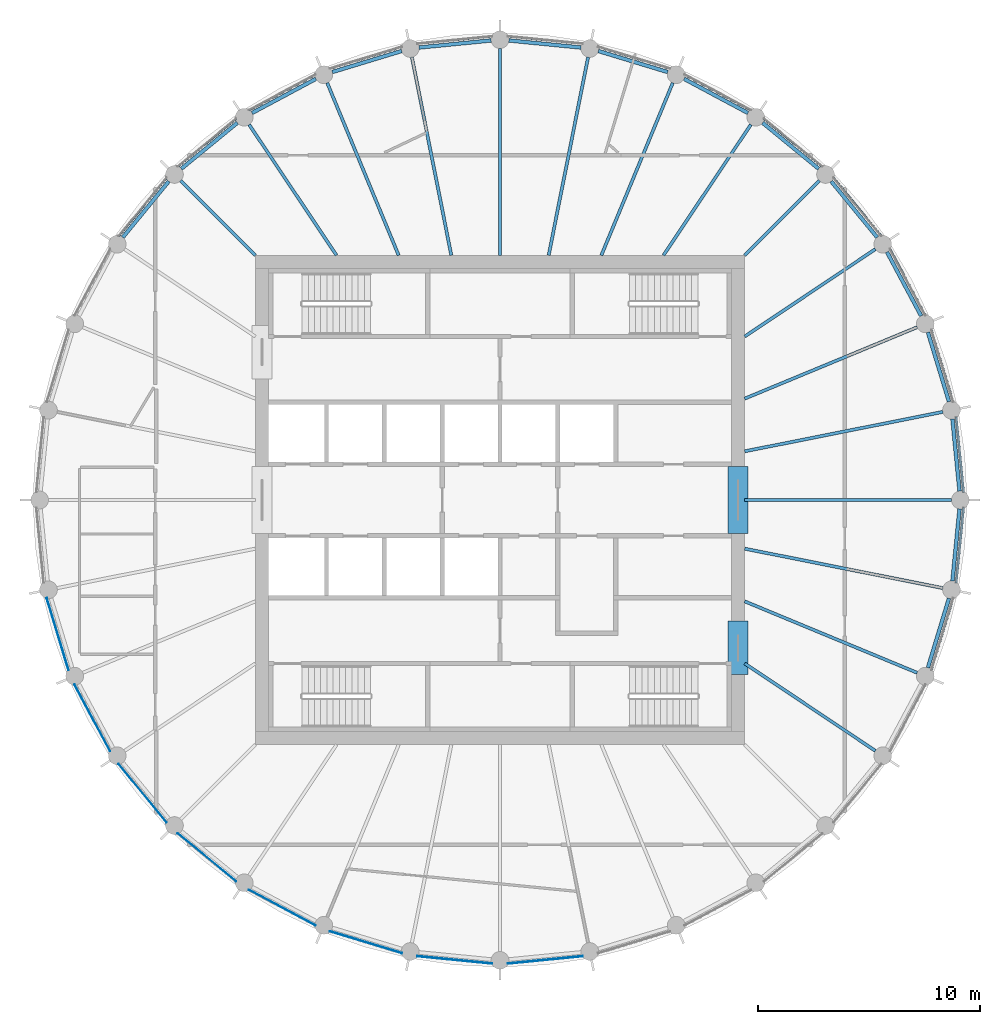
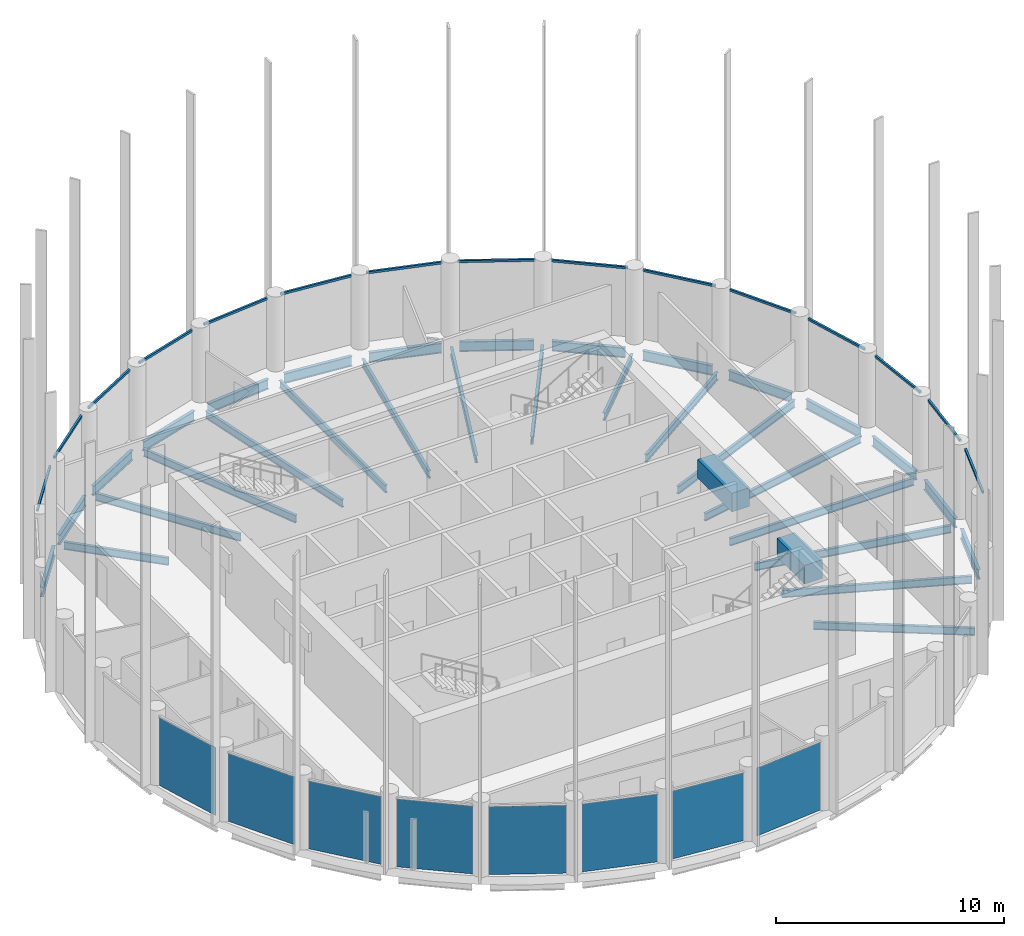
# One storey, part 2 of 7: 33 beams, 15 members, 8 plates, 23 elements without a shape of their own.
"""IFC4 building model written with IfcOpenShell, lengths in metres."""

from ifc_helpers import new_model, si_unit, direction, frame, origin, origin_2d, place, context, subcontext, project, spatial, rectangle, i_section, extrude, material, layer, layer_set, material_profile, profile_set, type_object, element, aggregate, save


model = new_model("IFC4")

# Units and contexts
model_context = context("Model", 3, precision=1e-05, world=origin(), true_north=direction((0.0, 1.0)))
body_context = subcontext(model_context, "Body", "Model", "MODEL_VIEW")
ifc_project = project(units=[si_unit("LENGTHUNIT", "METRE"), si_unit("AREAUNIT", "SQUARE_METRE"), si_unit("VOLUMEUNIT", "CUBIC_METRE"), si_unit("PLANEANGLEUNIT", "RADIAN"), si_unit("MASSUNIT", "GRAM", prefix="KILO")], contexts=[model_context])

# Site, building, storey
site_placement = place(None, origin())
site = spatial("IfcSite", under=ifc_project, at=site_placement, CompositionType="ELEMENT")
building_placement = place(site_placement, origin())
building = spatial("IfcBuilding", under=site, at=building_placement, Name="Corvane Civic Tower", CompositionType="ELEMENT")
storey_placement = place(building_placement, frame((0.0, 0.0, 324.5)))
storey = spatial("IfcBuildingStorey", under=building, at=storey_placement, Name="L77", CompositionType="ELEMENT", Elevation=324.5)

# Beams
ifc_material_1 = material(Name="Concrete C40/50", Category="concrete")
ifc_material_profile_1 = material_profile(ifc_material_1, rectangle(XDim=0.89990234375, YDim=1.0, at=origin_2d()), Name="COUPLING BEAM 900X1000")
ifc_profile_set_1 = profile_set([ifc_material_profile_1], Name="Concrete C40/50")
beam_type_1 = type_object("IfcBeamType", Name="COUPLING BEAM COUPLING BEAM 900X1000", PredefinedType="BEAM", material=ifc_profile_set_1)
beam_1_placement = place(storey_placement, frame((10.699951171875, -1.5, 2.60009765625), z_axis=(0.0, 1.0, 0.0), x_axis=(-1.0, 0.0, 0.0)))
element("IfcBeam", 1, at=beam_1_placement, inside=storey, type_object=beam_type_1, Name="BM-L77-cpl-CW-LE", PredefinedType="BEAM", context=body_context, shape_type="SweptSolid", body=[
    extrude(rectangle(XDim=0.89990234375, YDim=1.0, at=origin_2d()), origin(), (0.0, 0.0, 1.0), 3.0),
])
beam_2_placement = place(storey_placement, frame((10.699951171875, -7.85009765625, 2.60009765625), z_axis=(0.0, 1.0, 0.0), x_axis=(-1.0, 0.0, 0.0)))
element("IfcBeam", 2, at=beam_2_placement, inside=storey, type_object=beam_type_1, Name="BM-L77-cpl-CW-ES", PredefinedType="BEAM", context=body_context, shape_type="SweptSolid", body=[
    extrude(rectangle(XDim=0.89990234375, YDim=1.0, at=origin_2d()), origin(), (0.0, 0.0, 1.0), 2.400146484375),
])
ifc_material_2 = material(Name="Steel ASTM A992 Gr 50", Category="steel")
ifc_material_profile_2 = material_profile(ifc_material_2, i_section(OverallWidth=0.165771484375, OverallDepth=0.5283203125, WebThickness=0.009765625, FlangeThickness=0.013671875, at=origin_2d()), Name="W21X50")
ifc_profile_set_2 = profile_set([ifc_material_profile_2], Name="Steel ASTM A992 Gr 50")
beam_type_2 = type_object("IfcBeamType", Name="EDGE BEAM W21X50", PredefinedType="BEAM", material=ifc_profile_set_2)
beam_3_placement = place(storey_placement, frame((0.39794921875, 20.66064453125, -0.714111328125), z_axis=(0.995192503142, -0.097938152369, 0.0), x_axis=(0.097938152369, 0.995192503142, 0.0)))
element("IfcBeam", 3, at=beam_3_placement, inside=storey, type_object=beam_type_2, Name="BM-L77-E01", PredefinedType="BEAM", context=body_context, shape_type="SweptSolid", body=[
    extrude(i_section(OverallWidth=0.165771484375, OverallDepth=0.5283203125, WebThickness=0.009765625, FlangeThickness=0.013671875, at=origin_2d()), origin(), (0.0, 0.0, 1.0), 3.258056640625),
])
for number, where, z_axis, x_axis, name in (
    (4, (4.421142578125, 20.18603515625, -0.714111328125), (0.956955679349, -0.290234091317, 0.0), (0.290234091317, 0.956955679349, 0.0), "BM-L77-E02"),
    (5, (8.2744140625, 18.935791015625, -0.714111328125), (0.881894065907, -0.471447618, 0.0), (0.471447618, 0.881894065907, 0.0), "BM-L77-E03"),
    (6, (11.8095703125, 16.957763671875, -0.714111328125), (0.772984791903, -0.634424551454, 0.0), (0.634424551454, 0.772984791903, 0.0), "BM-L77-E04"),
    (7, (14.890869140625, 14.327880859375, -0.714111328125), (0.634424551454, -0.772984791903, 0.0), (0.772984791903, 0.634424551454, 0.0), "BM-L77-E05"),
    (8, (17.39990234375, 11.1474609375, -0.714111328125), (0.471447618, -0.881894065907, 0.0), (0.881894065907, 0.471447618, 0.0), "BM-L77-E06"),
    (9, (19.240478515625, 7.538818359375, -0.714111328125), (0.290234091317, -0.956955679349, 0.0), (0.956955679349, 0.290234091317, 0.0), "BM-L77-E07"),
):
    element("IfcBeam", number, at=place(storey_placement, frame(where, z_axis=z_axis, x_axis=x_axis)), inside=storey, type_object=beam_type_2, Name=name, PredefinedType="BEAM", context=body_context, shape_type="SweptSolid", body=[
        extrude(i_section(OverallWidth=0.165771484375, OverallDepth=0.5283203125, WebThickness=0.009765625, FlangeThickness=0.013671875, at=origin_2d()), origin(), (0.0, 0.0, 1.0), 3.2578125),
    ])
for number, where, z_axis, x_axis, name in (
    (10, (20.341552734375, 3.640380859375, -0.714111328125), (0.097938152369, -0.995192503142, 0.0), (0.995192503142, 0.097938152369, 0.0), "BM-L77-E08"),
    (11, (20.66064453125, -0.39794921875, -0.714111328125), (-0.097938152369, -0.995192503142, 0.0), (0.995192503142, -0.097938152369, 0.0), "BM-L77-E09"),
):
    element("IfcBeam", number, at=place(storey_placement, frame(where, z_axis=z_axis, x_axis=x_axis)), inside=storey, type_object=beam_type_2, Name=name, PredefinedType="BEAM", context=body_context, shape_type="SweptSolid", body=[
        extrude(i_section(OverallWidth=0.165771484375, OverallDepth=0.5283203125, WebThickness=0.009765625, FlangeThickness=0.013671875, at=origin_2d()), origin(), (0.0, 0.0, 1.0), 3.258056640625),
    ])
for number, where, z_axis, x_axis, name in (
    (12, (20.18603515625, -4.421142578125, -0.714111328125), (-0.290234091317, -0.956955679349, 0.0), (0.956955679349, -0.290234091317, 0.0), "BM-L77-E10"),
    (13, (-16.957763671875, 11.8095703125, -0.714111328125), (0.634424551454, 0.772984791903, 0.0), (-0.772984791903, 0.634424551454, 0.0), "BM-L77-E28"),
    (14, (-14.327880859375, 14.890869140625, -0.714111328125), (0.772984791903, 0.634424551454, 0.0), (-0.634424551454, 0.772984791903, 0.0), "BM-L77-E29"),
    (15, (-11.1474609375, 17.39990234375, -0.714111328125), (0.881894065907, 0.471447618, 0.0), (-0.471447618, 0.881894065907, 0.0), "BM-L77-E30"),
    (16, (-7.538818359375, 19.240478515625, -0.714111328125), (0.956955679349, 0.290234091317, 0.0), (-0.290234091317, 0.956955679349, 0.0), "BM-L77-E31"),
):
    element("IfcBeam", number, at=place(storey_placement, frame(where, z_axis=z_axis, x_axis=x_axis)), inside=storey, type_object=beam_type_2, Name=name, PredefinedType="BEAM", context=body_context, shape_type="SweptSolid", body=[
        extrude(i_section(OverallWidth=0.165771484375, OverallDepth=0.5283203125, WebThickness=0.009765625, FlangeThickness=0.013671875, at=origin_2d()), origin(), (0.0, 0.0, 1.0), 3.2578125),
    ])
beam_4_placement = place(storey_placement, frame((-3.640380859375, 20.341552734375, -0.714111328125), z_axis=(0.995192503142, 0.097938152369, 0.0), x_axis=(-0.097938152369, 0.995192503142, 0.0)))
element("IfcBeam", 17, at=beam_4_placement, inside=storey, type_object=beam_type_2, Name="BM-L77-E32", PredefinedType="BEAM", context=body_context, shape_type="SweptSolid", body=[
    extrude(i_section(OverallWidth=0.165771484375, OverallDepth=0.5283203125, WebThickness=0.009765625, FlangeThickness=0.013671875, at=origin_2d()), origin(), (0.0, 0.0, 1.0), 3.258056640625),
])
ifc_material_3 = material(Name="Steel ASTM A992 Gr 50", Category="steel")
ifc_material_profile_3 = material_profile(ifc_material_3, i_section(OverallWidth=0.140380859375, OverallDepth=0.40380859375, WebThickness=0.007080078125, FlangeThickness=0.01123046875, at=origin_2d()), Name="W16X31")
ifc_profile_set_3 = profile_set([ifc_material_profile_3], Name="Steel ASTM A992 Gr 50")
beam_type_3 = type_object("IfcBeamType", Name="FLOOR GIRDER W16X31", PredefinedType="BEAM", material=ifc_profile_set_3)
beam_5_placement = place(storey_placement, frame((0.0, 11.0, -0.65185546875), z_axis=(0.0, 1.0, 0.0), x_axis=(-1.0, 0.0, 0.0)))
element("IfcBeam", 18, at=beam_5_placement, inside=storey, type_object=beam_type_3, Name="BM-L77-G01", PredefinedType="BEAM", context=body_context, shape_type="SweptSolid", body=[
    extrude(i_section(OverallWidth=0.140380859375, OverallDepth=0.40380859375, WebThickness=0.007080078125, FlangeThickness=0.01123046875, at=origin_2d()), origin(), (0.0, 0.0, 1.0), 9.300048828125),
])
beam_6_placement = place(storey_placement, frame((2.18798828125, 11.0, -0.65185546875), z_axis=(0.195108241061, 0.980781715913, 0.0), x_axis=(-0.980781715913, 0.195108241061, 0.0)))
element("IfcBeam", 19, at=beam_6_placement, inside=storey, type_object=beam_type_3, Name="BM-L77-G02", PredefinedType="BEAM", context=body_context, shape_type="SweptSolid", body=[
    extrude(i_section(OverallWidth=0.140380859375, OverallDepth=0.40380859375, WebThickness=0.007080078125, FlangeThickness=0.01123046875, at=origin_2d()), origin(), (0.0, 0.0, 1.0), 9.08447265625),
])
beam_7_placement = place(storey_placement, frame((4.556396484375, 11.0, -0.65185546875), z_axis=(0.382691739894, 0.923876091377, 0.0), x_axis=(-0.923876091377, 0.382691739894, 0.0)))
element("IfcBeam", 20, at=beam_7_placement, inside=storey, type_object=beam_type_3, Name="BM-L77-G03", PredefinedType="BEAM", context=body_context, shape_type="SweptSolid", body=[
    extrude(i_section(OverallWidth=0.140380859375, OverallDepth=0.40380859375, WebThickness=0.007080078125, FlangeThickness=0.01123046875, at=origin_2d()), origin(), (0.0, 0.0, 1.0), 8.3935546875),
])
beam_8_placement = place(storey_placement, frame((7.349853515625, 11.0, -0.65185546875), z_axis=(0.555576401385, 0.831465490699, 0.0), x_axis=(-0.831465490699, 0.555576401385, 0.0)))
element("IfcBeam", 21, at=beam_8_placement, inside=storey, type_object=beam_type_3, Name="BM-L77-G04", PredefinedType="BEAM", context=body_context, shape_type="SweptSolid", body=[
    extrude(i_section(OverallWidth=0.140380859375, OverallDepth=0.40380859375, WebThickness=0.007080078125, FlangeThickness=0.01123046875, at=origin_2d()), origin(), (0.0, 0.0, 1.0), 7.070556640625),
])
beam_9_placement = place(storey_placement, frame((11.0, 11.0, -0.65185546875), z_axis=(0.707106781187, 0.707106781187, 0.0), x_axis=(-0.707106781187, 0.707106781187, 0.0)))
element("IfcBeam", 22, at=beam_9_placement, inside=storey, type_object=beam_type_3, Name="BM-L77-G05", PredefinedType="BEAM", context=body_context, shape_type="SweptSolid", body=[
    extrude(i_section(OverallWidth=0.140380859375, OverallDepth=0.40380859375, WebThickness=0.007080078125, FlangeThickness=0.01123046875, at=origin_2d()), origin(), (0.0, 0.0, 1.0), 4.74365234375),
])
beam_10_placement = place(storey_placement, frame((11.0, 7.349853515625, -0.65185546875), z_axis=(0.831465490699, 0.555576401385, 0.0), x_axis=(-0.555576401385, 0.831465490699, 0.0)))
element("IfcBeam", 23, at=beam_10_placement, inside=storey, type_object=beam_type_3, Name="BM-L77-G06", PredefinedType="BEAM", context=body_context, shape_type="SweptSolid", body=[
    extrude(i_section(OverallWidth=0.140380859375, OverallDepth=0.40380859375, WebThickness=0.007080078125, FlangeThickness=0.01123046875, at=origin_2d()), origin(), (0.0, 0.0, 1.0), 7.070556640625),
])
beam_11_placement = place(storey_placement, frame((11.0, 4.556396484375, -0.65185546875), z_axis=(0.923876091377, 0.382691739894, 0.0), x_axis=(-0.382691739894, 0.923876091377, 0.0)))
element("IfcBeam", 24, at=beam_11_placement, inside=storey, type_object=beam_type_3, Name="BM-L77-G07", PredefinedType="BEAM", context=body_context, shape_type="SweptSolid", body=[
    extrude(i_section(OverallWidth=0.140380859375, OverallDepth=0.40380859375, WebThickness=0.007080078125, FlangeThickness=0.01123046875, at=origin_2d()), origin(), (0.0, 0.0, 1.0), 8.3935546875),
])
beam_12_placement = place(storey_placement, frame((11.0, 2.18798828125, -0.65185546875), z_axis=(0.980781715913, 0.195108241061, 0.0), x_axis=(-0.195108241061, 0.980781715913, 0.0)))
element("IfcBeam", 25, at=beam_12_placement, inside=storey, type_object=beam_type_3, Name="BM-L77-G08", PredefinedType="BEAM", context=body_context, shape_type="SweptSolid", body=[
    extrude(i_section(OverallWidth=0.140380859375, OverallDepth=0.40380859375, WebThickness=0.007080078125, FlangeThickness=0.01123046875, at=origin_2d()), origin(), (0.0, 0.0, 1.0), 9.08447265625),
])
beam_13_placement = place(storey_placement, frame((11.0, 0.0, -0.65185546875), z_axis=(1.0, 0.0, 0.0), x_axis=(0.0, 1.0, 0.0)))
element("IfcBeam", 26, at=beam_13_placement, inside=storey, type_object=beam_type_3, Name="BM-L77-G09", PredefinedType="BEAM", context=body_context, shape_type="SweptSolid", body=[
    extrude(i_section(OverallWidth=0.140380859375, OverallDepth=0.40380859375, WebThickness=0.007080078125, FlangeThickness=0.01123046875, at=origin_2d()), origin(), (0.0, 0.0, 1.0), 9.300048828125),
])
beam_14_placement = place(storey_placement, frame((11.0, -2.18798828125, -0.65185546875), z_axis=(0.980781715913, -0.195108241061, 0.0), x_axis=(0.195108241061, 0.980781715913, 0.0)))
element("IfcBeam", 27, at=beam_14_placement, inside=storey, type_object=beam_type_3, Name="BM-L77-G10", PredefinedType="BEAM", context=body_context, shape_type="SweptSolid", body=[
    extrude(i_section(OverallWidth=0.140380859375, OverallDepth=0.40380859375, WebThickness=0.007080078125, FlangeThickness=0.01123046875, at=origin_2d()), origin(), (0.0, 0.0, 1.0), 9.08447265625),
])
beam_15_placement = place(storey_placement, frame((11.0, -4.556396484375, -0.65185546875), z_axis=(0.923876091377, -0.382691739894, 0.0), x_axis=(0.382691739894, 0.923876091377, 0.0)))
element("IfcBeam", 28, at=beam_15_placement, inside=storey, type_object=beam_type_3, Name="BM-L77-G11", PredefinedType="BEAM", context=body_context, shape_type="SweptSolid", body=[
    extrude(i_section(OverallWidth=0.140380859375, OverallDepth=0.40380859375, WebThickness=0.007080078125, FlangeThickness=0.01123046875, at=origin_2d()), origin(), (0.0, 0.0, 1.0), 8.3935546875),
])
beam_16_placement = place(storey_placement, frame((11.0, -7.349853515625, -0.65185546875), z_axis=(0.831465490699, -0.555576401385, 0.0), x_axis=(0.555576401385, 0.831465490699, 0.0)))
element("IfcBeam", 29, at=beam_16_placement, inside=storey, type_object=beam_type_3, Name="BM-L77-G12", PredefinedType="BEAM", context=body_context, shape_type="SweptSolid", body=[
    extrude(i_section(OverallWidth=0.140380859375, OverallDepth=0.40380859375, WebThickness=0.007080078125, FlangeThickness=0.01123046875, at=origin_2d()), origin(), (0.0, 0.0, 1.0), 7.070556640625),
])
beam_17_placement = place(storey_placement, frame((-11.0, 11.0, -0.65185546875), z_axis=(-0.707106781187, 0.707106781187, 0.0), x_axis=(-0.707106781187, -0.707106781187, 0.0)))
element("IfcBeam", 30, at=beam_17_placement, inside=storey, type_object=beam_type_3, Name="BM-L77-G29", PredefinedType="BEAM", context=body_context, shape_type="SweptSolid", body=[
    extrude(i_section(OverallWidth=0.140380859375, OverallDepth=0.40380859375, WebThickness=0.007080078125, FlangeThickness=0.01123046875, at=origin_2d()), origin(), (0.0, 0.0, 1.0), 4.74365234375),
])
beam_18_placement = place(storey_placement, frame((-7.349853515625, 11.0, -0.65185546875), z_axis=(-0.555576401385, 0.831465490699, 0.0), x_axis=(-0.831465490699, -0.555576401385, 0.0)))
element("IfcBeam", 31, at=beam_18_placement, inside=storey, type_object=beam_type_3, Name="BM-L77-G30", PredefinedType="BEAM", context=body_context, shape_type="SweptSolid", body=[
    extrude(i_section(OverallWidth=0.140380859375, OverallDepth=0.40380859375, WebThickness=0.007080078125, FlangeThickness=0.01123046875, at=origin_2d()), origin(), (0.0, 0.0, 1.0), 7.070556640625),
])
beam_19_placement = place(storey_placement, frame((-4.556396484375, 11.0, -0.65185546875), z_axis=(-0.382691739894, 0.923876091377, 0.0), x_axis=(-0.923876091377, -0.382691739894, 0.0)))
element("IfcBeam", 32, at=beam_19_placement, inside=storey, type_object=beam_type_3, Name="BM-L77-G31", PredefinedType="BEAM", context=body_context, shape_type="SweptSolid", body=[
    extrude(i_section(OverallWidth=0.140380859375, OverallDepth=0.40380859375, WebThickness=0.007080078125, FlangeThickness=0.01123046875, at=origin_2d()), origin(), (0.0, 0.0, 1.0), 8.3935546875),
])
beam_20_placement = place(storey_placement, frame((-2.18798828125, 11.0, -0.65185546875), z_axis=(-0.195108241061, 0.980781715913, 0.0), x_axis=(-0.980781715913, -0.195108241061, 0.0)))
element("IfcBeam", 33, at=beam_20_placement, inside=storey, type_object=beam_type_3, Name="BM-L77-G32", PredefinedType="BEAM", context=body_context, shape_type="SweptSolid", body=[
    extrude(i_section(OverallWidth=0.140380859375, OverallDepth=0.40380859375, WebThickness=0.007080078125, FlangeThickness=0.01123046875, at=origin_2d()), origin(), (0.0, 0.0, 1.0), 9.08447265625),
])

# Curtain wall, member
ifc_material_4 = material(Name="Anodised aluminium bronze", Category="aluminium")
curtain_wall_type = type_object("IfcCurtainWallType", Name="TOWER CW-T3 STICK CURTAIN WALL", PredefinedType="NOTDEFINED", material=ifc_material_4)
curtain_wall_1_placement = place(storey_placement, origin())
curtain_wall_1 = element("IfcCurtainWall", 34, at=curtain_wall_1_placement, inside=storey, type_object=curtain_wall_type, Name="Curtain wall CW-T3 L77 bay 01", PredefinedType="NOTDEFINED")
ifc_material_5 = material(Name="Anodised aluminium bronze", Category="aluminium")
ifc_material_profile_4 = material_profile(ifc_material_5, rectangle(XDim=0.10009765625, YDim=0.1201171875, at=origin_2d()), Name="TOWER CW-T3 TRANSOM 100x120")
ifc_profile_set_4 = profile_set([ifc_material_profile_4], Name="Anodised aluminium bronze")
member_type = type_object("IfcMemberType", Name="TOWER CW-T3 TRANSOM 100x120", PredefinedType="USERDEFINED", material=ifc_profile_set_4)
member_1_placement = place(storey_placement, frame((0.34375, 20.845947265625, 3.68994140625), z_axis=(0.995191564676, -0.097947688066, 0.0), x_axis=(0.097947688066, 0.995191564676, 0.0)))
member_1 = element("IfcMember", 35, at=member_1_placement, type_object=member_type, Name="Transom CW-T3 L77 01.1", ObjectType="TRANSOM", PredefinedType="USERDEFINED", context=body_context, shape_type="SweptSolid", body=[
    extrude(rectangle(XDim=0.10009765625, YDim=0.1201171875, at=origin_2d()), origin(), (0.0, 0.0, 1.0), 3.40234375),
])
aggregate(curtain_wall_1, [member_1])

curtain_wall_2_placement = place(storey_placement, origin())
curtain_wall_2 = element("IfcCurtainWall", 36, at=curtain_wall_2_placement, inside=storey, type_object=curtain_wall_type, Name="Curtain wall CW-T3 L77 bay 02", PredefinedType="NOTDEFINED")
member_2_placement = place(storey_placement, frame((4.40380859375, 20.37841796875, 3.68994140625), z_axis=(0.956961022204, -0.290216474345, 0.0), x_axis=(0.290216474345, 0.956961022204, 0.0)))
member_2 = element("IfcMember", 37, at=member_2_placement, type_object=member_type, Name="Transom CW-T3 L77 02.1", ObjectType="TRANSOM", PredefinedType="USERDEFINED", context=body_context, shape_type="SweptSolid", body=[
    extrude(rectangle(XDim=0.10009765625, YDim=0.1201171875, at=origin_2d()), origin(), (0.0, 0.0, 1.0), 3.40283203125),
])
aggregate(curtain_wall_2, [member_2])

curtain_wall_3_placement = place(storey_placement, origin())
curtain_wall_3 = element("IfcCurtainWall", 38, at=curtain_wall_3_placement, inside=storey, type_object=curtain_wall_type, Name="Curtain wall CW-T3 L77 bay 03", PredefinedType="NOTDEFINED")
member_3_placement = place(storey_placement, frame((8.294921875, 19.127685546875, 3.68994140625), z_axis=(0.881941440444, -0.471358988063, 0.0), x_axis=(0.471358988063, 0.881941440444, 0.0)))
member_3 = element("IfcMember", 39, at=member_3_placement, type_object=member_type, Name="Transom CW-T3 L77 03.1", ObjectType="TRANSOM", PredefinedType="USERDEFINED", context=body_context, shape_type="SweptSolid", body=[
    extrude(rectangle(XDim=0.10009765625, YDim=0.1201171875, at=origin_2d()), origin(), (0.0, 0.0, 1.0), 3.40234375),
])
aggregate(curtain_wall_3, [member_3])

curtain_wall_4_placement = place(storey_placement, origin())
curtain_wall_4 = element("IfcCurtainWall", 40, at=curtain_wall_4_placement, inside=storey, type_object=curtain_wall_type, Name="Curtain wall CW-T3 L77 bay 04", PredefinedType="NOTDEFINED")
member_4_placement = place(storey_placement, frame((11.8671875, 17.14208984375, 3.68994140625), z_axis=(0.773010217358, -0.634393571736, 0.0), x_axis=(0.634393571736, 0.773010217358, 0.0)))
member_4 = element("IfcMember", 41, at=member_4_placement, type_object=member_type, Name="Transom CW-T3 L77 04.1", ObjectType="TRANSOM", PredefinedType="USERDEFINED", context=body_context, shape_type="SweptSolid", body=[
    extrude(rectangle(XDim=0.10009765625, YDim=0.1201171875, at=origin_2d()), origin(), (0.0, 0.0, 1.0), 3.40283203125),
])
aggregate(curtain_wall_4, [member_4])

curtain_wall_5_placement = place(storey_placement, origin())
curtain_wall_5 = element("IfcCurtainWall", 42, at=curtain_wall_5_placement, inside=storey, type_object=curtain_wall_type, Name="Curtain wall CW-T3 L77 bay 05", PredefinedType="NOTDEFINED")
member_5_placement = place(storey_placement, frame((14.9833984375, 14.49755859375, 3.68994140625), z_axis=(0.634393571736, -0.773010217358, 0.0), x_axis=(0.773010217358, 0.634393571736, 0.0)))
member_5 = element("IfcMember", 43, at=member_5_placement, type_object=member_type, Name="Transom CW-T3 L77 05.1", ObjectType="TRANSOM", PredefinedType="USERDEFINED", context=body_context, shape_type="SweptSolid", body=[
    extrude(rectangle(XDim=0.10009765625, YDim=0.1201171875, at=origin_2d()), origin(), (0.0, 0.0, 1.0), 3.40283203125),
])
aggregate(curtain_wall_5, [member_5])

curtain_wall_6_placement = place(storey_placement, origin())
curtain_wall_6 = element("IfcCurtainWall", 44, at=curtain_wall_6_placement, inside=storey, type_object=curtain_wall_type, Name="Curtain wall CW-T3 L77 bay 06", PredefinedType="NOTDEFINED")
member_6_placement = place(storey_placement, frame((17.52392578125, 11.295654296875, 3.68994140625), z_axis=(0.471358988063, -0.881941440444, 0.0), x_axis=(0.881941440444, 0.471358988063, 0.0)))
member_6 = element("IfcMember", 45, at=member_6_placement, type_object=member_type, Name="Transom CW-T3 L77 06.1", ObjectType="TRANSOM", PredefinedType="USERDEFINED", context=body_context, shape_type="SweptSolid", body=[
    extrude(rectangle(XDim=0.10009765625, YDim=0.1201171875, at=origin_2d()), origin(), (0.0, 0.0, 1.0), 3.40234375),
])
aggregate(curtain_wall_6, [member_6])

curtain_wall_7_placement = place(storey_placement, origin())
curtain_wall_7 = element("IfcCurtainWall", 46, at=curtain_wall_7_placement, inside=storey, type_object=curtain_wall_type, Name="Curtain wall CW-T3 L77 bay 07", PredefinedType="NOTDEFINED")
member_7_placement = place(storey_placement, frame((19.390869140625, 7.66015625, 3.68994140625), z_axis=(0.290216474345, -0.956961022204, 0.0), x_axis=(0.956961022204, 0.290216474345, 0.0)))
member_7 = element("IfcMember", 47, at=member_7_placement, type_object=member_type, Name="Transom CW-T3 L77 07.1", ObjectType="TRANSOM", PredefinedType="USERDEFINED", context=body_context, shape_type="SweptSolid", body=[
    extrude(rectangle(XDim=0.10009765625, YDim=0.1201171875, at=origin_2d()), origin(), (0.0, 0.0, 1.0), 3.40283203125),
])
aggregate(curtain_wall_7, [member_7])

curtain_wall_8_placement = place(storey_placement, origin())
curtain_wall_8 = element("IfcCurtainWall", 48, at=curtain_wall_8_placement, inside=storey, type_object=curtain_wall_type, Name="Curtain wall CW-T3 L77 bay 08", PredefinedType="NOTDEFINED")
member_8_placement = place(storey_placement, frame((20.5126953125, 3.729736328125, 3.68994140625), z_axis=(0.097947688066, -0.995191564676, 0.0), x_axis=(0.995191564676, 0.097947688066, 0.0)))
member_8 = element("IfcMember", 49, at=member_8_placement, type_object=member_type, Name="Transom CW-T3 L77 08.1", ObjectType="TRANSOM", PredefinedType="USERDEFINED", context=body_context, shape_type="SweptSolid", body=[
    extrude(rectangle(XDim=0.10009765625, YDim=0.1201171875, at=origin_2d()), origin(), (0.0, 0.0, 1.0), 3.40234375),
])
aggregate(curtain_wall_8, [member_8])

curtain_wall_9_placement = place(storey_placement, origin())
curtain_wall_9 = element("IfcCurtainWall", 50, at=curtain_wall_9_placement, inside=storey, type_object=curtain_wall_type, Name="Curtain wall CW-T3 L77 bay 09", PredefinedType="NOTDEFINED")
member_9_placement = place(storey_placement, frame((20.845947265625, -0.34375, 3.68994140625), z_axis=(-0.097947688066, -0.995191564676, 0.0), x_axis=(0.995191564676, -0.097947688066, 0.0)))
member_9 = element("IfcMember", 51, at=member_9_placement, type_object=member_type, Name="Transom CW-T3 L77 09.1", ObjectType="TRANSOM", PredefinedType="USERDEFINED", context=body_context, shape_type="SweptSolid", body=[
    extrude(rectangle(XDim=0.10009765625, YDim=0.1201171875, at=origin_2d()), origin(), (0.0, 0.0, 1.0), 3.40234375),
])
aggregate(curtain_wall_9, [member_9])

curtain_wall_10_placement = place(storey_placement, origin())
curtain_wall_10 = element("IfcCurtainWall", 52, at=curtain_wall_10_placement, inside=storey, type_object=curtain_wall_type, Name="Curtain wall CW-T3 L77 bay 10", PredefinedType="NOTDEFINED")
member_10_placement = place(storey_placement, frame((20.37841796875, -4.40380859375, 3.68994140625), z_axis=(-0.290216474345, -0.956961022204, 0.0), x_axis=(0.956961022204, -0.290216474345, 0.0)))
member_10 = element("IfcMember", 53, at=member_10_placement, type_object=member_type, Name="Transom CW-T3 L77 10.1", ObjectType="TRANSOM", PredefinedType="USERDEFINED", context=body_context, shape_type="SweptSolid", body=[
    extrude(rectangle(XDim=0.10009765625, YDim=0.1201171875, at=origin_2d()), origin(), (0.0, 0.0, 1.0), 3.40283203125),
])
aggregate(curtain_wall_10, [member_10])

curtain_wall_11_placement = place(storey_placement, origin())
curtain_wall_11 = element("IfcCurtainWall", 54, at=curtain_wall_11_placement, inside=storey, type_object=curtain_wall_type, Name="Curtain wall CW-T3 L77 bay 28", PredefinedType="NOTDEFINED")
member_11_placement = place(storey_placement, frame((-17.14208984375, 11.8671875, 3.68994140625), z_axis=(0.634393571736, 0.773010217358, 0.0), x_axis=(-0.773010217358, 0.634393571736, 0.0)))
member_11 = element("IfcMember", 55, at=member_11_placement, type_object=member_type, Name="Transom CW-T3 L77 28.1", ObjectType="TRANSOM", PredefinedType="USERDEFINED", context=body_context, shape_type="SweptSolid", body=[
    extrude(rectangle(XDim=0.10009765625, YDim=0.1201171875, at=origin_2d()), origin(), (0.0, 0.0, 1.0), 3.40283203125),
])
aggregate(curtain_wall_11, [member_11])

curtain_wall_12_placement = place(storey_placement, origin())
curtain_wall_12 = element("IfcCurtainWall", 56, at=curtain_wall_12_placement, inside=storey, type_object=curtain_wall_type, Name="Curtain wall CW-T3 L77 bay 29", PredefinedType="NOTDEFINED")
member_12_placement = place(storey_placement, frame((-14.49755859375, 14.9833984375, 3.68994140625), z_axis=(0.773010217358, 0.634393571736, 0.0), x_axis=(-0.634393571736, 0.773010217358, 0.0)))
member_12 = element("IfcMember", 57, at=member_12_placement, type_object=member_type, Name="Transom CW-T3 L77 29.1", ObjectType="TRANSOM", PredefinedType="USERDEFINED", context=body_context, shape_type="SweptSolid", body=[
    extrude(rectangle(XDim=0.10009765625, YDim=0.1201171875, at=origin_2d()), origin(), (0.0, 0.0, 1.0), 3.40283203125),
])
aggregate(curtain_wall_12, [member_12])

curtain_wall_13_placement = place(storey_placement, origin())
curtain_wall_13 = element("IfcCurtainWall", 58, at=curtain_wall_13_placement, inside=storey, type_object=curtain_wall_type, Name="Curtain wall CW-T3 L77 bay 30", PredefinedType="NOTDEFINED")
member_13_placement = place(storey_placement, frame((-11.295654296875, 17.52392578125, 3.68994140625), z_axis=(0.881941440444, 0.471358988063, 0.0), x_axis=(-0.471358988063, 0.881941440444, 0.0)))
member_13 = element("IfcMember", 59, at=member_13_placement, type_object=member_type, Name="Transom CW-T3 L77 30.1", ObjectType="TRANSOM", PredefinedType="USERDEFINED", context=body_context, shape_type="SweptSolid", body=[
    extrude(rectangle(XDim=0.10009765625, YDim=0.1201171875, at=origin_2d()), origin(), (0.0, 0.0, 1.0), 3.40234375),
])
aggregate(curtain_wall_13, [member_13])

curtain_wall_14_placement = place(storey_placement, origin())
curtain_wall_14 = element("IfcCurtainWall", 60, at=curtain_wall_14_placement, inside=storey, type_object=curtain_wall_type, Name="Curtain wall CW-T3 L77 bay 31", PredefinedType="NOTDEFINED")
member_14_placement = place(storey_placement, frame((-7.66015625, 19.390869140625, 3.68994140625), z_axis=(0.956961022204, 0.290216474345, 0.0), x_axis=(-0.290216474345, 0.956961022204, 0.0)))
member_14 = element("IfcMember", 61, at=member_14_placement, type_object=member_type, Name="Transom CW-T3 L77 31.1", ObjectType="TRANSOM", PredefinedType="USERDEFINED", context=body_context, shape_type="SweptSolid", body=[
    extrude(rectangle(XDim=0.10009765625, YDim=0.1201171875, at=origin_2d()), origin(), (0.0, 0.0, 1.0), 3.40283203125),
])
aggregate(curtain_wall_14, [member_14])

curtain_wall_15_placement = place(storey_placement, origin())
curtain_wall_15 = element("IfcCurtainWall", 62, at=curtain_wall_15_placement, inside=storey, type_object=curtain_wall_type, Name="Curtain wall CW-T3 L77 bay 32", PredefinedType="NOTDEFINED")
member_15_placement = place(storey_placement, frame((-3.729736328125, 20.5126953125, 3.68994140625), z_axis=(0.995191564676, 0.097947688066, 0.0), x_axis=(-0.097947688066, 0.995191564676, 0.0)))
member_15 = element("IfcMember", 63, at=member_15_placement, type_object=member_type, Name="Transom CW-T3 L77 32.1", ObjectType="TRANSOM", PredefinedType="USERDEFINED", context=body_context, shape_type="SweptSolid", body=[
    extrude(rectangle(XDim=0.10009765625, YDim=0.1201171875, at=origin_2d()), origin(), (0.0, 0.0, 1.0), 3.40234375),
])
aggregate(curtain_wall_15, [member_15])

# Curtain wall, plate
curtain_wall_16_placement = place(storey_placement, origin())
curtain_wall_16 = element("IfcCurtainWall", 64, at=curtain_wall_16_placement, inside=storey, type_object=curtain_wall_type, Name="Curtain wall CW-T3 L77 bay 16", PredefinedType="NOTDEFINED")
ifc_material_6 = material(Name="Tinted glass", Category="glass")
ifc_layer = layer(ifc_material_6, 0.028076171875)
ifc_layer_set = layer_set([ifc_layer], Name="Tinted glass")
plate_type = type_object("IfcPlateType", Name="TOWER CW-T3 PANEL IGU28", PredefinedType="CURTAIN_PANEL", material=ifc_layer_set)
plate_1_placement = place(storey_placement, frame((2.03662109375, -20.679443359375, 0.0), z_axis=(0.0, 0.0, 1.0), x_axis=(-0.995186641028, -0.097997701601, 0.0)))
plate_1 = element("IfcPlate", 65, at=plate_1_placement, type_object=plate_type, Name="Glass panel CW-T3 L77 16.1", PredefinedType="CURTAIN_PANEL", context=body_context, shape_type="SweptSolid", body=[
    extrude(rectangle(XDim=3.402587890625, YDim=0.028076171875, at=origin_2d()), origin(), (0.0, 0.0, 1.0), 3.6298828125),
])
aggregate(curtain_wall_16, [plate_1])

curtain_wall_17_placement = place(storey_placement, origin())
curtain_wall_17 = element("IfcCurtainWall", 66, at=curtain_wall_17_placement, inside=storey, type_object=curtain_wall_type, Name="Curtain wall CW-T3 L77 bay 17", PredefinedType="NOTDEFINED")
plate_2_placement = place(storey_placement, frame((-2.03662109375, -20.679443359375, 0.0), z_axis=(0.0, 0.0, 1.0), x_axis=(-0.995186641028, 0.097997701601, 0.0)))
plate_2 = element("IfcPlate", 67, at=plate_2_placement, type_object=plate_type, Name="Glass panel CW-T3 L77 17.1", PredefinedType="CURTAIN_PANEL", context=body_context, shape_type="SweptSolid", body=[
    extrude(rectangle(XDim=3.402587890625, YDim=0.028076171875, at=origin_2d()), origin(), (0.0, 0.0, 1.0), 3.6298828125),
])
aggregate(curtain_wall_17, [plate_2])

curtain_wall_18_placement = place(storey_placement, origin())
curtain_wall_18 = element("IfcCurtainWall", 68, at=curtain_wall_18_placement, inside=storey, type_object=curtain_wall_type, Name="Curtain wall CW-T3 L77 bay 18", PredefinedType="NOTDEFINED")
plate_3_placement = place(storey_placement, frame((-6.031982421875, -19.884765625, 0.0), z_axis=(0.0, 0.0, 1.0), x_axis=(-0.956938582641, 0.290290456359, 0.0)))
plate_3 = element("IfcPlate", 69, at=plate_3_placement, type_object=plate_type, Name="Glass panel CW-T3 L77 18.1", PredefinedType="CURTAIN_PANEL", context=body_context, shape_type="SweptSolid", body=[
    extrude(rectangle(XDim=3.40283203125, YDim=0.028076171875, at=origin_2d()), origin(), (0.0, 0.0, 1.0), 3.6298828125),
])
aggregate(curtain_wall_18, [plate_3])

curtain_wall_19_placement = place(storey_placement, origin())
curtain_wall_19 = element("IfcCurtainWall", 70, at=curtain_wall_19_placement, inside=storey, type_object=curtain_wall_type, Name="Curtain wall CW-T3 L77 bay 19", PredefinedType="NOTDEFINED")
plate_4_placement = place(storey_placement, frame((-9.79541015625, -18.325927734375, 0.0), z_axis=(0.0, 0.0, 1.0), x_axis=(-0.88192824848, 0.471383670202, 0.0)))
plate_4 = element("IfcPlate", 71, at=plate_4_placement, type_object=plate_type, Name="Glass panel CW-T3 L77 19.1", PredefinedType="CURTAIN_PANEL", context=body_context, shape_type="SweptSolid", body=[
    extrude(rectangle(XDim=3.40234375, YDim=0.028076171875, at=origin_2d()), origin(), (0.0, 0.0, 1.0), 3.6298828125),
])
aggregate(curtain_wall_19, [plate_4])

curtain_wall_20_placement = place(storey_placement, origin())
curtain_wall_20 = element("IfcCurtainWall", 72, at=curtain_wall_20_placement, inside=storey, type_object=curtain_wall_type, Name="Curtain wall CW-T3 L77 bay 20", PredefinedType="NOTDEFINED")
plate_5_placement = place(storey_placement, frame((-13.182373046875, -16.062744140625, 0.0), z_axis=(0.0, 0.0, 1.0), x_axis=(-0.773010369391, 0.634393386484, 0.0)))
plate_5 = element("IfcPlate", 73, at=plate_5_placement, type_object=plate_type, Name="Glass panel CW-T3 L77 20.1", PredefinedType="CURTAIN_PANEL", context=body_context, shape_type="SweptSolid", body=[
    extrude(rectangle(XDim=3.402587890625, YDim=0.028076171875, at=origin_2d()), origin(), (0.0, 0.0, 1.0), 3.6298828125),
])
aggregate(curtain_wall_20, [plate_5])

curtain_wall_21_placement = place(storey_placement, origin())
curtain_wall_21 = element("IfcCurtainWall", 74, at=curtain_wall_21_placement, inside=storey, type_object=curtain_wall_type, Name="Curtain wall CW-T3 L77 bay 21", PredefinedType="NOTDEFINED")
plate_6_placement = place(storey_placement, frame((-16.062744140625, -13.182373046875, 0.0), z_axis=(0.0, 0.0, 1.0), x_axis=(-0.634393386484, 0.773010369391, 0.0)))
plate_6 = element("IfcPlate", 75, at=plate_6_placement, type_object=plate_type, Name="Glass panel CW-T3 L77 21.1", PredefinedType="CURTAIN_PANEL", context=body_context, shape_type="SweptSolid", body=[
    extrude(rectangle(XDim=3.402587890625, YDim=0.028076171875, at=origin_2d()), origin(), (0.0, 0.0, 1.0), 3.6298828125),
])
aggregate(curtain_wall_21, [plate_6])

curtain_wall_22_placement = place(storey_placement, origin())
curtain_wall_22 = element("IfcCurtainWall", 76, at=curtain_wall_22_placement, inside=storey, type_object=curtain_wall_type, Name="Curtain wall CW-T3 L77 bay 22", PredefinedType="NOTDEFINED")
plate_7_placement = place(storey_placement, frame((-18.325927734375, -9.79541015625, 0.0), z_axis=(0.0, 0.0, 1.0), x_axis=(-0.471383670202, 0.88192824848, 0.0)))
plate_7 = element("IfcPlate", 77, at=plate_7_placement, type_object=plate_type, Name="Glass panel CW-T3 L77 22.1", PredefinedType="CURTAIN_PANEL", context=body_context, shape_type="SweptSolid", body=[
    extrude(rectangle(XDim=3.40234375, YDim=0.028076171875, at=origin_2d()), origin(), (0.0, 0.0, 1.0), 3.6298828125),
])
aggregate(curtain_wall_22, [plate_7])

curtain_wall_23_placement = place(storey_placement, origin())
curtain_wall_23 = element("IfcCurtainWall", 78, at=curtain_wall_23_placement, inside=storey, type_object=curtain_wall_type, Name="Curtain wall CW-T3 L77 bay 23", PredefinedType="NOTDEFINED")
plate_8_placement = place(storey_placement, frame((-19.884765625, -6.031982421875, 0.0), z_axis=(0.0, 0.0, 1.0), x_axis=(-0.290290456359, 0.956938582641, 0.0)))
plate_8 = element("IfcPlate", 79, at=plate_8_placement, type_object=plate_type, Name="Glass panel CW-T3 L77 23.1", PredefinedType="CURTAIN_PANEL", context=body_context, shape_type="SweptSolid", body=[
    extrude(rectangle(XDim=3.40283203125, YDim=0.028076171875, at=origin_2d()), origin(), (0.0, 0.0, 1.0), 3.6298828125),
])
aggregate(curtain_wall_23, [plate_8])

save(model, "model.ifc")
